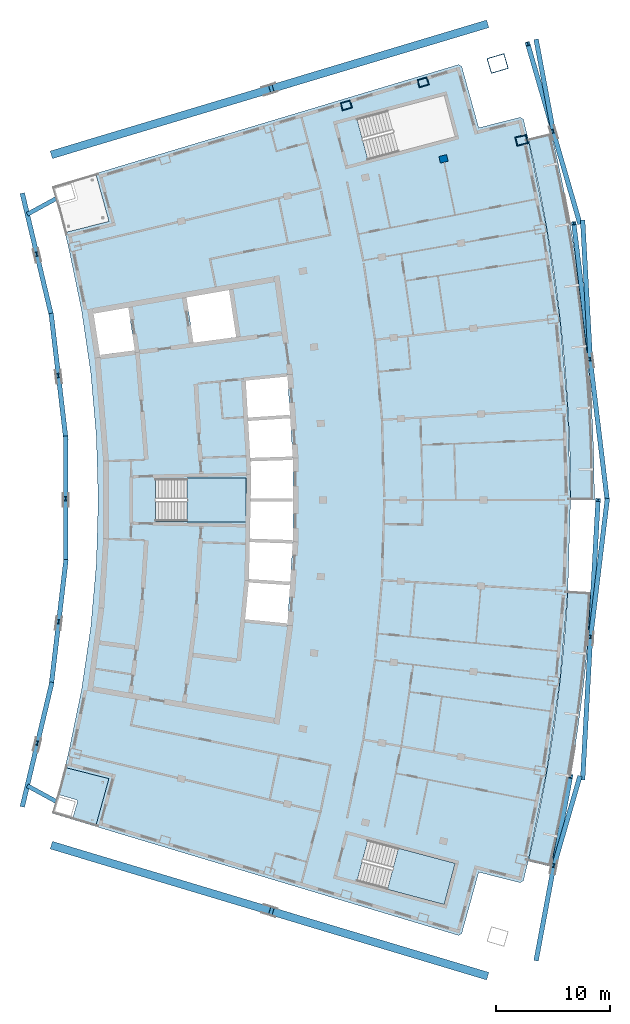
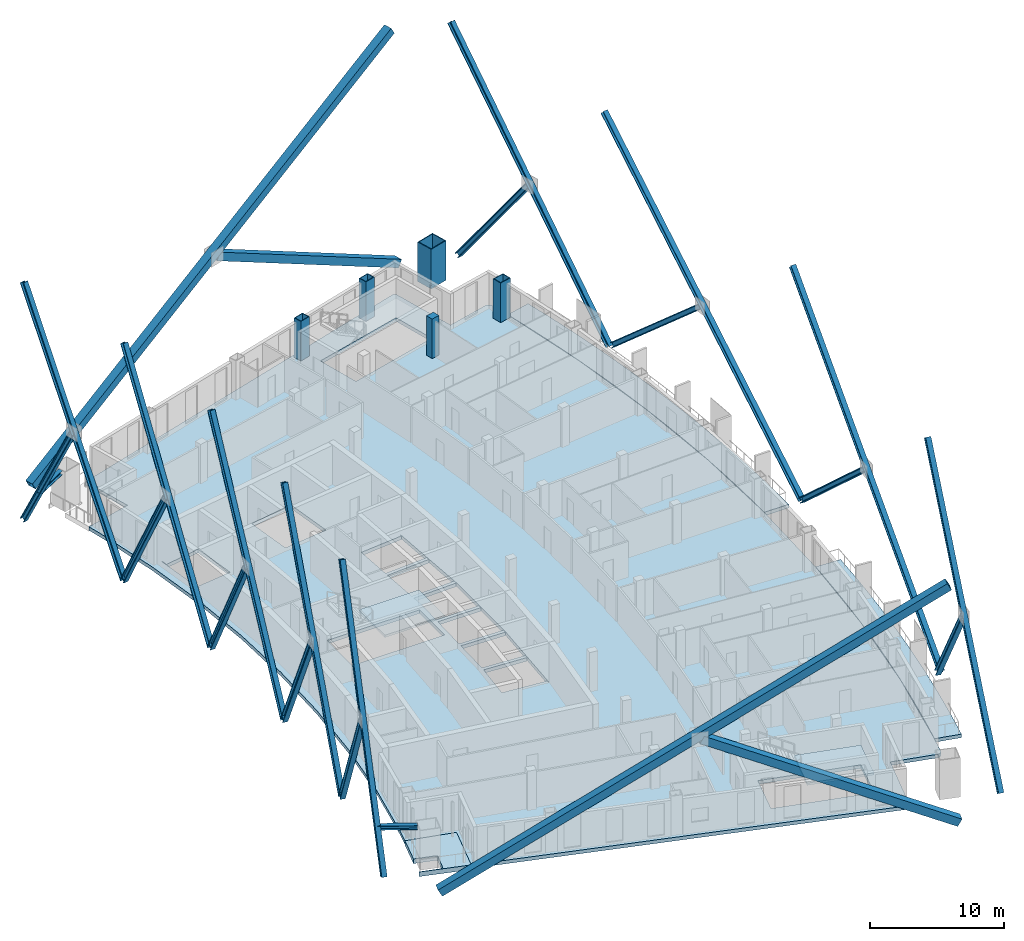
# One storey, part 6 of 16: 24 members, 6 slabs, 5 columns, 2 elements without a shape of their own.
"""IFC4 building model written with IfcOpenShell, lengths in metres."""

import ifcopenshell
import ifcopenshell.guid

model = None  # the IFC model being written
_history = None  # IfcOwnerHistory: only IFC2X3 demands one
_inside = {}  # id of a spatial element -> (the spatial element, [elements in it])
_under = {}  # id of a project, library or spatial element -> (it, [spatial elements below it])
_declared = {}  # id of a project -> (the project, [libraries it declares])
_typed = {}  # id of a type object -> (the type object, [elements of that type])
_made_of = {}  # id of a material, layer set ... -> (it, [elements and type objects made of it])


def new_model(schema):
    """Start an empty IFC model of exactly this schema.

    Asked for "IFC4X3", IfcOpenShell would pick the latest addendum, in which some entities
    have other attributes; the version numbers below select the first issue.
    IFC2X3 requires an IfcOwnerHistory on every rooted entity: one is made here for all.
    """
    global model, _history
    if schema == "IFC4X3":
        model = ifcopenshell.file(schema_version=(4, 3, 0, 0))
    else:
        model = ifcopenshell.file(schema=schema)
    _inside.clear()
    _under.clear()
    _declared.clear()
    _typed.clear()
    _made_of.clear()
    _history = None
    if model.schema == "IFC2X3":
        org = make("IfcOrganization", Name="unknown")
        user = make(
            "IfcPersonAndOrganization",
            ThePerson=make("IfcPerson", FamilyName="unknown"),
            TheOrganization=org,
        )
        app = make(
            "IfcApplication",
            ApplicationDeveloper=org,
            Version="unknown",
            ApplicationFullName="unknown",
            ApplicationIdentifier="unknown",
        )
        _history = make(
            "IfcOwnerHistory",
            OwningUser=user,
            OwningApplication=app,
            ChangeAction="ADDED",
            CreationDate=0,
        )
    return model


def make(cls, **values):
    """One entity of the class cls with the attributes given. An attribute that is None is left unset."""
    return model.create_entity(
        cls, **{name: value for name, value in values.items() if value is not None}
    )


def rooted(cls, **values):
    """An entity with a GlobalId (a new one), such as an element, a storey or a relation."""
    return make(cls, GlobalId=ifcopenshell.guid.new(), OwnerHistory=_history, **values)


def si_unit(unit_type, name, prefix=None):
    """IfcSIUnit, for example si_unit("LENGTHUNIT", "METRE", prefix="MILLI")."""
    return make("IfcSIUnit", UnitType=unit_type, Prefix=prefix, Name=name)


def assignment(units):
    """IfcUnitAssignment: the units of a project."""
    return None if units is None else make("IfcUnitAssignment", Units=units)


def point(xyz):
    """IfcCartesianPoint."""
    return None if xyz is None else make("IfcCartesianPoint", Coordinates=xyz)


def direction(xyz):
    """IfcDirection."""
    return None if xyz is None else make("IfcDirection", DirectionRatios=xyz)


def frame(location, z_axis=None, x_axis=None):
    """IfcAxis2Placement3D, a coordinate frame: its origin and axes. An axis left out is left unset."""
    return make(
        "IfcAxis2Placement3D",
        Location=point(location),
        Axis=direction(z_axis),
        RefDirection=direction(x_axis),
    )


def frame_2d(location, x_axis=None):
    """IfcAxis2Placement2D, a coordinate frame in the plane: its origin and x axis."""
    return make(
        "IfcAxis2Placement2D", Location=point(location), RefDirection=direction(x_axis)
    )


def origin():
    """The frame at (0, 0, 0) with its axes left unset."""
    return frame((0.0, 0.0, 0.0))


def origin_2d():
    """The frame at (0, 0) in the plane with its x axis left unset."""
    return frame_2d((0.0, 0.0))


def place(relative_to, where):
    """IfcLocalPlacement: puts the frame where relative to a parent placement (None: the world)."""
    return make(
        "IfcLocalPlacement", PlacementRelTo=relative_to, RelativePlacement=where
    )


def context(
    kind, dimensions, precision=None, world=None, true_north=None, identifier=None
):
    """IfcGeometricRepresentationContext, for example the 3D "Model" context."""
    return make(
        "IfcGeometricRepresentationContext",
        ContextIdentifier=identifier,
        ContextType=kind,
        CoordinateSpaceDimension=dimensions,
        Precision=precision,
        WorldCoordinateSystem=world,
        TrueNorth=true_north,
    )


def subcontext(parent, identifier, kind, view, scale=None):
    """IfcGeometricRepresentationSubContext, for example "Body" below "Model"."""
    return make(
        "IfcGeometricRepresentationSubContext",
        ContextIdentifier=identifier,
        ContextType=kind,
        ParentContext=parent,
        TargetScale=scale,
        TargetView=view,
    )


def project(units=None, contexts=None):
    """IfcProject with its units and contexts."""
    return rooted(
        "IfcProject",
        Name="project",
        RepresentationContexts=contexts,
        UnitsInContext=assignment(units),
    )


def spatial(cls, under=None, at=None, **own):
    """A site, building, storey or space (cls), placed at a placement, below another one or the project."""
    s = rooted(cls, ObjectPlacement=at, **own)
    if under is not None:
        _under.setdefault(under.id(), (under, []))[1].append(s)
    return s


def polyline(points):
    """IfcPolyline through the points."""
    return make("IfcPolyline", Points=[point(p) for p in points])


def profile(cls, at=None, kind="AREA", **sizes):
    """A parametric profile (cls). Its sizes go by their IFC names, for example OverallWidth=200.0."""
    return make(cls, ProfileType=kind, Position=at, **sizes)


def rectangle(**sizes):
    """IfcRectangleProfileDef."""
    return profile("IfcRectangleProfileDef", **sizes)


def hollow_rectangle(**sizes):
    """IfcRectangleHollowProfileDef."""
    return profile("IfcRectangleHollowProfileDef", **sizes)


def i_section(**sizes):
    """IfcIShapeProfileDef."""
    return profile("IfcIShapeProfileDef", **sizes)


def outline(outer, holes=None, kind="AREA"):
    """IfcArbitraryClosedProfileDef: a profile drawn as a closed curve; with holes, ...WithVoids."""
    if holes is None:
        return make("IfcArbitraryClosedProfileDef", ProfileType=kind, OuterCurve=outer)
    return make(
        "IfcArbitraryProfileDefWithVoids",
        ProfileType=kind,
        OuterCurve=outer,
        InnerCurves=holes,
    )


def extrude(swept, where, along, depth):
    """IfcExtrudedAreaSolid: the profile swept, set in the frame where, extruded along a direction by depth."""
    return make(
        "IfcExtrudedAreaSolid",
        SweptArea=swept,
        Position=where,
        ExtrudedDirection=direction(along),
        Depth=depth,
    )


def shape(context_of_items, identifier, shape_type, items):
    """IfcShapeRepresentation: the items that make up one representation, for example the "Body"."""
    return make(
        "IfcShapeRepresentation",
        ContextOfItems=context_of_items,
        RepresentationIdentifier=identifier,
        RepresentationType=shape_type,
        Items=items,
    )


def material(Name=None, Category=None):
    """IfcMaterial."""
    return make("IfcMaterial", Name=Name, Category=Category)


def layer(
    of_material, thickness, ventilated=None, Name=None, Category=None, Priority=None
):
    """IfcMaterialLayer: one layer of a wall or slab, of a material (None: an air gap)."""
    return make(
        "IfcMaterialLayer",
        Material=of_material,
        LayerThickness=thickness,
        IsVentilated=ventilated,
        Name=Name,
        Category=Category,
        Priority=Priority,
    )


def layer_set(layers, Name=None):
    """IfcMaterialLayerSet."""
    return make("IfcMaterialLayerSet", MaterialLayers=layers, LayerSetName=Name)


def material_profile(
    of_material, cross_section, Name=None, Category=None, Priority=None
):
    """IfcMaterialProfile: a cross section and its material."""
    return make(
        "IfcMaterialProfile",
        Name=Name,
        Material=of_material,
        Profile=cross_section,
        Priority=Priority,
        Category=Category,
    )


def profile_set(profiles, Name=None, composite=None):
    """IfcMaterialProfileSet."""
    return make(
        "IfcMaterialProfileSet",
        Name=Name,
        MaterialProfiles=profiles,
        CompositeProfile=composite,
    )


def made_of(thing, what):
    """Note that an element or type object is made of a material, layer set ...; save() writes the relation."""
    if what is not None:
        _made_of.setdefault(what.id(), (what, []))[1].append(thing)
    return thing


def type_object(cls, material=None, **own):
    """A type object (cls), such as IfcWallType, which elements share."""
    return made_of(rooted(cls, **own), material)


def element(
    cls,
    number,
    at=None,
    inside=None,
    cuts=None,
    type_object=None,
    material=None,
    context=None,
    identifier="Body",
    shape_type=None,
    held_by="IfcProductDefinitionShape",
    body=None,
    shapes=None,
    **own,
):
    """One element of the class cls, such as IfcWall. Its Tag is "e" and its number.

    at: its placement. inside: the storey or other place that contains it. cuts: it is an
    opening in that element (IfcRelVoidsElement). A single representation is given by context,
    identifier, shape_type and body (its items); several are given by shapes. held_by: the class
    of the entity that holds the representations. save() writes the other relations.
    """
    e = rooted(cls, Tag="e%d" % number, ObjectPlacement=at, **own)
    if body is not None:
        shapes = [shape(context, identifier, shape_type, body)]
    if shapes is not None:
        e.Representation = make(held_by, Representations=shapes)
    if inside is not None:
        _inside.setdefault(inside.id(), (inside, []))[1].append(e)
    if cuts is not None:
        rooted(
            "IfcRelVoidsElement", RelatingBuildingElement=cuts, RelatedOpeningElement=e
        )
    if type_object is not None:
        _typed.setdefault(type_object.id(), (type_object, []))[1].append(e)
    return made_of(e, material)


def aggregate(whole, parts):
    """IfcRelAggregates: a whole, such as a stair, and the parts it consists of."""
    return rooted("IfcRelAggregates", RelatingObject=whole, RelatedObjects=parts)


def save(model, path):
    """Write the relations noted so far, then the file.

    IfcRelAggregates (storeys below a building ...), IfcRelContainedInSpatialStructure (elements
    in a storey), IfcRelDefinesByType, IfcRelAssociatesMaterial and IfcRelDeclares: one each for
    every whole, place, type object, material and project.
    """
    for whole, parts in _under.values():
        aggregate(whole, parts)
    for where, things in _inside.values():
        rooted(
            "IfcRelContainedInSpatialStructure",
            RelatedElements=things,
            RelatingStructure=where,
        )
    for kind, things in _typed.values():
        rooted("IfcRelDefinesByType", RelatedObjects=things, RelatingType=kind)
    for what, things in _made_of.values():
        rooted("IfcRelAssociatesMaterial", RelatedObjects=things, RelatingMaterial=what)
    for by, libraries in _declared.values():
        rooted("IfcRelDeclares", RelatingContext=by, RelatedDefinitions=libraries)
    model.write(path)


model = new_model("IFC4")

# Units and contexts
model_context = context("Model", 3, precision=1e-05, world=origin(), true_north=direction((0.0, 1.0)))
body_context = subcontext(model_context, "Body", "Model", "MODEL_VIEW")
ifc_project = project(units=[si_unit("LENGTHUNIT", "METRE"), si_unit("AREAUNIT", "SQUARE_METRE"), si_unit("VOLUMEUNIT", "CUBIC_METRE"), si_unit("PLANEANGLEUNIT", "RADIAN"), si_unit("MASSUNIT", "GRAM", prefix="KILO")], contexts=[model_context])

# Site, building, storey
site_placement = place(None, origin())
site = spatial("IfcSite", under=ifc_project, at=site_placement, CompositionType="ELEMENT")
building_placement = place(site_placement, origin())
building = spatial("IfcBuilding", under=site, at=building_placement, Name="Alderwake Tower", CompositionType="ELEMENT")
storey_placement = place(building_placement, frame((0.0, 0.0, 245.60009765625)))
storey = spatial("IfcBuildingStorey", under=building, at=storey_placement, Name="L60", CompositionType="ELEMENT", Elevation=245.60009765625)

# Columns
ifc_material_1 = material(Name="Steel ASTM A572 Grade 50 concrete filled C70/85", Category="concrete")
ifc_material_profile_1 = material_profile(ifc_material_1, hollow_rectangle(XDim=0.699951171875, YDim=0.89990234375, WallThickness=0.050048828125, at=origin_2d()), Name="BOX 900X700X50")
ifc_profile_set_1 = profile_set([ifc_material_profile_1], Name="Steel ASTM A572 Grade 50 concrete filled C70/85")
column_type_1 = type_object("IfcColumnType", Name="End column Z5", PredefinedType="COLUMN", material=ifc_profile_set_1)
for number, where, z_axis, x_axis, name in (
    (1, (37.8486328125, 95.755126953125, 0.0), (0.0, 0.0, 1.0), (-0.28286882455, 0.959158604245, 0.0), "Column R12-C3"),
    (2, (44.616943359375, 97.787109375, 0.0), (0.0, 0.0, 1.0), (-0.283123269824, 0.95908352821, 0.0), "Column R12-C4"),
):
    element("IfcColumn", number, at=place(storey_placement, frame(where, z_axis=z_axis, x_axis=x_axis)), inside=storey, type_object=column_type_1, Name=name, PredefinedType="COLUMN", context=body_context, shape_type="SweptSolid", body=[
        extrude(hollow_rectangle(XDim=0.699951171875, YDim=0.89990234375, WallThickness=0.050048828125, at=origin_2d()), origin(), (0.0, 0.0, 1.0), 3.599853515625),
    ])
ifc_material_2 = material(Name="Concrete C70/85", Category="concrete")
ifc_material_profile_2 = material_profile(ifc_material_2, rectangle(XDim=0.60009765625, YDim=0.699951171875, at=origin_2d()), Name="RC 700X600")
ifc_profile_set_2 = profile_set([ifc_material_profile_2], Name="Concrete C70/85")
column_type_2 = type_object("IfcColumnType", Name="Interior column Z5", PredefinedType="COLUMN", material=ifc_profile_set_2)
column_1_placement = place(storey_placement, frame((46.412109375, 91.04345703125, 0.0), z_axis=(0.0, 0.0, 1.0), x_axis=(-0.231221547198, 0.972901123502, 0.0)))
element("IfcColumn", 3, at=column_1_placement, inside=storey, type_object=column_type_2, Name="Column R11-C4", PredefinedType="COLUMN", context=body_context, shape_type="SweptSolid", body=[
    extrude(rectangle(XDim=0.60009765625, YDim=0.699951171875, at=origin_2d()), origin(), (0.0, 0.0, 1.0), 3.599853515625),
])
ifc_material_3 = material(Name="Steel ASTM A572 Grade 50 concrete filled C70/85", Category="concrete")
ifc_material_profile_3 = material_profile(ifc_material_3, hollow_rectangle(XDim=1.39990234375, YDim=1.60009765625, WallThickness=0.070068359375, at=origin_2d()), Name="BOX 1600X1400X70")
ifc_profile_set_3 = profile_set([ifc_material_profile_3], Name="Steel ASTM A572 Grade 50 concrete filled C70/85")
column_type_3 = type_object("IfcColumnType", Name="Mega column Z5", PredefinedType="COLUMN", material=ifc_profile_set_3)
column_2_placement = place(storey_placement, frame((51.181884765625, 99.447021484375, 0.0), z_axis=(0.0, 0.0, 1.0), x_axis=(-0.281251293329, 0.959634154249, 0.0)))
element("IfcColumn", 4, at=column_2_placement, inside=storey, type_object=column_type_3, Name="Column R12-C5", PredefinedType="COLUMN", context=body_context, shape_type="SweptSolid", body=[
    extrude(hollow_rectangle(XDim=1.39990234375, YDim=1.60009765625, WallThickness=0.070068359375, at=origin_2d()), origin(), (0.0, 0.0, 1.0), 3.599853515625),
])
ifc_material_4 = material(Name="Steel ASTM A572 Grade 50 concrete filled C70/85", Category="concrete")
ifc_material_profile_4 = material_profile(ifc_material_4, hollow_rectangle(XDim=0.800048828125, YDim=1.0, WallThickness=0.054931640625, at=origin_2d()), Name="BOX 1000X800X55")
ifc_profile_set_4 = profile_set([ifc_material_profile_4], Name="Steel ASTM A572 Grade 50 concrete filled C70/85")
column_type_4 = type_object("IfcColumnType", Name="Perimeter column Z5", PredefinedType="COLUMN", material=ifc_profile_set_4)
column_3_placement = place(storey_placement, frame((53.287353515625, 92.677490234375, 0.0), z_axis=(0.0, 0.0, 1.0), x_axis=(-0.231221547198, 0.972901123502, 0.0)))
element("IfcColumn", 5, at=column_3_placement, inside=storey, type_object=column_type_4, Name="Column R11-C5", PredefinedType="COLUMN", context=body_context, shape_type="SweptSolid", body=[
    extrude(hollow_rectangle(XDim=0.800048828125, YDim=1.0, WallThickness=0.054931640625, at=origin_2d()), origin(), (0.0, 0.0, 1.0), 3.599853515625),
])

# Members
ifc_material_5 = material(Name="Steel ASTM A992 Grade 50", Category="steel")
ifc_material_profile_5 = material_profile(ifc_material_5, i_section(OverallWidth=0.3740234375, OverallDepth=0.372314453125, WebThickness=0.016357421875, FlangeThickness=0.026123046875, at=origin_2d()), Name="W14X132")
ifc_profile_set_5 = profile_set([ifc_material_profile_5], Name="Steel ASTM A992 Grade 50")
member_type_1 = type_object("IfcMemberType", Name="Brace node stub W14X132", PredefinedType="MEMBER", material=ifc_profile_set_5)
for number, where, z_axis, x_axis, name in (
    (6, (12.394775390625, 34.39599609375, 3.393798828125), (-0.87806620214, 0.478539177769, 0.0), (-0.478539177769, -0.87806620214, 0.0), "Brace node stub BS.RR02-C0.2492"),
    (7, (12.394775390625, 87.60400390625, 3.393798828125), (-0.87806620214, -0.478539177769, 0.0), (0.478539177769, -0.87806620214, 0.0), "Brace node stub BS.RR12-C0.2492"),
):
    element("IfcMember", number, at=place(storey_placement, frame(where, z_axis=z_axis, x_axis=x_axis)), inside=storey, type_object=member_type_1, Name=name, PredefinedType="MEMBER", context=body_context, shape_type="SweptSolid", body=[
        extrude(i_section(OverallWidth=0.3740234375, OverallDepth=0.372314453125, WebThickness=0.016357421875, FlangeThickness=0.026123046875, at=origin_2d()), origin(), (0.0, 0.0, 1.0), 3.006591796875),
    ])
ifc_material_6 = material(Name="Steel ASTM A572 Grade 50", Category="steel")
ifc_material_profile_6 = material_profile(ifc_material_6, hollow_rectangle(XDim=0.699951171875, YDim=0.699951171875, WallThickness=0.044921875, at=origin_2d()), Name="BOX 700X700X45")
ifc_profile_set_6 = profile_set([ifc_material_profile_6], Name="Steel ASTM A572 Grade 50")
member_type_2 = type_object("IfcMemberType", Name="Mega brace end Z5", PredefinedType="BRACE", material=ifc_profile_set_6)
member_1_placement = place(storey_placement, frame((12.031005859375, 30.550537109375, 0.0), z_axis=(0.837847995008, -0.251543875101, 0.484496043493), x_axis=(0.287546591137, 0.957766651082, 0.0)))
element("IfcMember", 8, at=member_1_placement, inside=storey, type_object=member_type_2, Name="Brace BRS5.1.0A", PredefinedType="BRACE", context=body_context, shape_type="SweptSolid", body=[
    extrude(hollow_rectangle(XDim=0.699951171875, YDim=0.699951171875, WallThickness=0.044921875, at=origin_2d()), origin(), (0.0, 0.0, 1.0), 44.58203125),
])
member_2_placement = place(storey_placement, frame((50.150146484375, 19.106201171875, 0.0), z_axis=(-0.841791088382, 0.252723272384, 0.476989214885), x_axis=(-0.287541975429, -0.957768036826, 0.0)))
element("IfcMember", 9, at=member_2_placement, inside=storey, type_object=member_type_2, Name="Brace BRS5.1.0B1", PredefinedType="BRACE", context=body_context, shape_type="SweptSolid", body=[
    extrude(hollow_rectangle(XDim=0.699951171875, YDim=0.699951171875, WallThickness=0.044921875, at=origin_2d()), origin(), (0.0, 0.0, 1.0), 22.45166015625),
])
member_3_placement = place(storey_placement, frame((12.031005859375, 91.449462890625, 0.0), z_axis=(0.837847995008, 0.251543875101, 0.484496043493), x_axis=(-0.287546591137, 0.957766651082, 0.0)))
element("IfcMember", 10, at=member_3_placement, inside=storey, type_object=member_type_2, Name="Brace BRN5.1.0A", PredefinedType="BRACE", context=body_context, shape_type="SweptSolid", body=[
    extrude(hollow_rectangle(XDim=0.699951171875, YDim=0.699951171875, WallThickness=0.044921875, at=origin_2d()), origin(), (0.0, 0.0, 1.0), 44.58203125),
])
member_4_placement = place(storey_placement, frame((50.150146484375, 102.893798828125, 0.0), z_axis=(-0.841791088382, -0.252723272384, 0.476989214885), x_axis=(0.287541975429, -0.957768036826, 0.0)))
element("IfcMember", 11, at=member_4_placement, inside=storey, type_object=member_type_2, Name="Brace BRN5.1.0B1", PredefinedType="BRACE", context=body_context, shape_type="SweptSolid", body=[
    extrude(hollow_rectangle(XDim=0.699951171875, YDim=0.699951171875, WallThickness=0.044921875, at=origin_2d()), origin(), (0.0, 0.0, 1.0), 22.45166015625),
])
ifc_material_7 = material(Name="Steel ASTM A992 Grade 50", Category="steel")
ifc_material_profile_7 = material_profile(ifc_material_7, i_section(OverallWidth=0.41552734375, OverallDepth=0.445556640625, WebThickness=0.0390625, FlangeThickness=0.062744140625, at=origin_2d()), Name="W14X342")
ifc_profile_set_7 = profile_set([ifc_material_profile_7], Name="Steel ASTM A992 Grade 50")
member_type_3 = type_object("IfcMemberType", Name="Mega brace face Z5", PredefinedType="BRACE", material=ifc_profile_set_7)
member_5_placement = place(storey_placement, frame((54.598876953125, 20.589599609375, 0.0), z_axis=(0.110700830672, 0.593518998633, 0.7971703233), x_axis=(-0.983046942789, 0.183354051694, 0.0)))
element("IfcMember", 12, at=member_5_placement, inside=storey, type_object=member_type_3, Name="Brace BRF5.1.2A", PredefinedType="BRACE", context=body_context, shape_type="SweptSolid", body=[
    extrude(i_section(OverallWidth=0.41552734375, OverallDepth=0.445556640625, WebThickness=0.0390625, FlangeThickness=0.062744140625, at=origin_2d()), origin(), (0.0, 0.0, 1.0), 27.095703125),
])
member_6_placement = place(storey_placement, frame((58.3876953125, 36.531982421875, 0.0), z_axis=(-0.168155065926, -0.579867121435, 0.79716873702), x_axis=(0.960431974026, -0.278514673344, 0.0)))
element("IfcMember", 13, at=member_6_placement, inside=storey, type_object=member_type_3, Name="Brace BRF5.1.2B1", PredefinedType="BRACE", context=body_context, shape_type="SweptSolid", body=[
    extrude(i_section(OverallWidth=0.41552734375, OverallDepth=0.445556640625, WebThickness=0.0390625, FlangeThickness=0.062744140625, at=origin_2d()), origin(), (0.0, 0.0, 1.0), 13.35302734375),
])
member_7_placement = place(storey_placement, frame((58.67578125, 36.48095703125, 0.0), z_axis=(0.041215108362, 0.749725291216, 0.660464459721), x_axis=(-0.998492367213, 0.05489073344, 0.0)))
element("IfcMember", 14, at=member_7_placement, inside=storey, type_object=member_type_3, Name="Brace BRF5.1.4A", PredefinedType="BRACE", context=body_context, shape_type="SweptSolid", body=[
    extrude(i_section(OverallWidth=0.41552734375, OverallDepth=0.445556640625, WebThickness=0.0390625, FlangeThickness=0.062744140625, at=origin_2d()), origin(), (0.0, 0.0, 1.0), 32.7041015625),
])
member_8_placement = place(storey_placement, frame((60.82666015625, 61.0, 0.0), z_axis=(-0.08994543892, -0.74545415046, 0.660460390621), x_axis=(0.992799282585, -0.119789751223, 0.0)))
element("IfcMember", 15, at=member_8_placement, inside=storey, type_object=member_type_3, Name="Brace BRF5.1.4B1", PredefinedType="BRACE", context=body_context, shape_type="SweptSolid", body=[
    extrude(i_section(OverallWidth=0.41552734375, OverallDepth=0.445556640625, WebThickness=0.0390625, FlangeThickness=0.062744140625, at=origin_2d()), origin(), (0.0, 0.0, 1.0), 16.171875),
])
member_9_placement = place(storey_placement, frame((60.82666015625, 61.0, 0.0), z_axis=(-0.089947294154, 0.745452477357, 0.66046202637), x_axis=(-0.99279895676, -0.119792451581, 0.0)))
element("IfcMember", 16, at=member_9_placement, inside=storey, type_object=member_type_3, Name="Brace BRF5.1.7A", PredefinedType="BRACE", context=body_context, shape_type="SweptSolid", body=[
    extrude(i_section(OverallWidth=0.41552734375, OverallDepth=0.445556640625, WebThickness=0.0390625, FlangeThickness=0.062744140625, at=origin_2d()), origin(), (0.0, 0.0, 1.0), 32.7041015625),
])
member_10_placement = place(storey_placement, frame((58.67578125, 85.51904296875, 0.0), z_axis=(0.04121374677, -0.74972787257, 0.660461614455), x_axis=(0.998492476957, 0.054888737105, 0.0)))
element("IfcMember", 17, at=member_10_placement, inside=storey, type_object=member_type_3, Name="Brace BRF5.1.7B1", PredefinedType="BRACE", context=body_context, shape_type="SweptSolid", body=[
    extrude(i_section(OverallWidth=0.41552734375, OverallDepth=0.445556640625, WebThickness=0.0390625, FlangeThickness=0.062744140625, at=origin_2d()), origin(), (0.0, 0.0, 1.0), 16.171875),
])
member_11_placement = place(storey_placement, frame((58.3876953125, 85.468017578125, 0.0), z_axis=(-0.168159198362, 0.579866761496, 0.797168127134), x_axis=(-0.960430096886, -0.278521146407, 0.0)))
element("IfcMember", 18, at=member_11_placement, inside=storey, type_object=member_type_3, Name="Brace BRF5.1.10A", PredefinedType="BRACE", context=body_context, shape_type="SweptSolid", body=[
    extrude(i_section(OverallWidth=0.41552734375, OverallDepth=0.445556640625, WebThickness=0.0390625, FlangeThickness=0.062744140625, at=origin_2d()), origin(), (0.0, 0.0, 1.0), 27.095703125),
])
member_12_placement = place(storey_placement, frame((54.598876953125, 101.410400390625, 0.0), z_axis=(0.110707381411, -0.593523206499, 0.797166280677), x_axis=(0.983045221401, 0.183363280623, 0.0)))
element("IfcMember", 19, at=member_12_placement, inside=storey, type_object=member_type_3, Name="Brace BRF5.1.10B1", PredefinedType="BRACE", context=body_context, shape_type="SweptSolid", body=[
    extrude(i_section(OverallWidth=0.41552734375, OverallDepth=0.445556640625, WebThickness=0.0390625, FlangeThickness=0.062744140625, at=origin_2d()), origin(), (0.0, 0.0, 1.0), 13.35302734375),
])
member_13_placement = place(storey_placement, frame((9.359619140625, 34.171630859375, 0.0), z_axis=(0.104006952224, 0.437630728218, 0.893119196753), x_axis=(-0.972901726667, 0.23121900927, 0.0)))
element("IfcMember", 20, at=member_13_placement, inside=storey, type_object=member_type_3, Name="Brace BRR5.1.2A", PredefinedType="BRACE", context=body_context, shape_type="SweptSolid", body=[
    extrude(i_section(OverallWidth=0.41552734375, OverallDepth=0.445556640625, WebThickness=0.0390625, FlangeThickness=0.062744140625, at=origin_2d()), origin(), (0.0, 0.0, 1.0), 24.184814453125),
])
member_14_placement = place(storey_placement, frame((11.875, 44.755615234375, 0.0), z_axis=(-0.104002993468, -0.437631038096, 0.893119505914), x_axis=(0.972903743222, -0.231210524034, 0.0)))
element("IfcMember", 21, at=member_14_placement, inside=storey, type_object=member_type_3, Name="Brace BRR5.1.2B1", PredefinedType="BRACE", context=body_context, shape_type="SweptSolid", body=[
    extrude(i_section(OverallWidth=0.41552734375, OverallDepth=0.445556640625, WebThickness=0.0390625, FlangeThickness=0.062744140625, at=origin_2d()), origin(), (0.0, 0.0, 1.0), 11.812255859375),
])
member_15_placement = place(storey_placement, frame((11.875, 44.755615234375, 0.0), z_axis=(0.052361737433, 0.446765647495, 0.893117408111), x_axis=(-0.993201825706, 0.116405040331, 0.0)))
element("IfcMember", 22, at=member_15_placement, inside=storey, type_object=member_type_3, Name="Brace BRR5.1.4A", PredefinedType="BRACE", context=body_context, shape_type="SweptSolid", body=[
    extrude(i_section(OverallWidth=0.41552734375, OverallDepth=0.445556640625, WebThickness=0.0390625, FlangeThickness=0.062744140625, at=origin_2d()), origin(), (0.0, 0.0, 1.0), 24.184814453125),
])
member_16_placement = place(storey_placement, frame((13.141357421875, 55.560546875, 0.0), z_axis=(-0.052373377607, -0.446765165883, 0.893116966512), x_axis=(0.993198819114, -0.116430690583, 0.0)))
element("IfcMember", 23, at=member_16_placement, inside=storey, type_object=member_type_3, Name="Brace BRR5.1.4B1", PredefinedType="BRACE", context=body_context, shape_type="SweptSolid", body=[
    extrude(i_section(OverallWidth=0.41552734375, OverallDepth=0.445556640625, WebThickness=0.0390625, FlangeThickness=0.062744140625, at=origin_2d()), origin(), (0.0, 0.0, 1.0), 11.812255859375),
])
member_17_placement = place(storey_placement, frame((13.141357421875, 55.560546875, 0.0), z_axis=(0.0, 0.449824221612, 0.893117108587), x_axis=(-1.0, 0.0, 0.0)))
element("IfcMember", 24, at=member_17_placement, inside=storey, type_object=member_type_3, Name="Brace BRR5.1.6A", PredefinedType="BRACE", context=body_context, shape_type="SweptSolid", body=[
    extrude(i_section(OverallWidth=0.41552734375, OverallDepth=0.445556640625, WebThickness=0.0390625, FlangeThickness=0.062744140625, at=origin_2d()), origin(), (0.0, 0.0, 1.0), 24.184814453125),
])
member_18_placement = place(storey_placement, frame((13.141357421875, 66.439453125, 0.0), z_axis=(0.0, -0.449824156765, 0.893117141248), x_axis=(1.0, 0.0, 0.0)))
element("IfcMember", 25, at=member_18_placement, inside=storey, type_object=member_type_3, Name="Brace BRR5.1.6B1", PredefinedType="BRACE", context=body_context, shape_type="SweptSolid", body=[
    extrude(i_section(OverallWidth=0.41552734375, OverallDepth=0.445556640625, WebThickness=0.0390625, FlangeThickness=0.062744140625, at=origin_2d()), origin(), (0.0, 0.0, 1.0), 11.812255859375),
])
member_19_placement = place(storey_placement, frame((13.141357421875, 66.439453125, 0.0), z_axis=(-0.052361737433, 0.446765647495, 0.893117408111), x_axis=(-0.993201825706, -0.116405040331, 0.0)))
element("IfcMember", 26, at=member_19_placement, inside=storey, type_object=member_type_3, Name="Brace BRR5.1.8A", PredefinedType="BRACE", context=body_context, shape_type="SweptSolid", body=[
    extrude(i_section(OverallWidth=0.41552734375, OverallDepth=0.445556640625, WebThickness=0.0390625, FlangeThickness=0.062744140625, at=origin_2d()), origin(), (0.0, 0.0, 1.0), 24.184814453125),
])
member_20_placement = place(storey_placement, frame((11.875, 77.244384765625, 0.0), z_axis=(0.052352282579, -0.446782192072, 0.893109686072), x_axis=(0.993204753755, 0.116380054645, 0.0)))
element("IfcMember", 27, at=member_20_placement, inside=storey, type_object=member_type_3, Name="Brace BRR5.1.8B1", PredefinedType="BRACE", context=body_context, shape_type="SweptSolid", body=[
    extrude(i_section(OverallWidth=0.41552734375, OverallDepth=0.445556640625, WebThickness=0.0390625, FlangeThickness=0.062744140625, at=origin_2d()), origin(), (0.0, 0.0, 1.0), 11.8125),
])
member_21_placement = place(storey_placement, frame((11.875, 77.244384765625, 0.0), z_axis=(-0.104006952224, 0.437630728218, 0.893119196753), x_axis=(-0.972901726667, -0.23121900927, 0.0)))
element("IfcMember", 28, at=member_21_placement, inside=storey, type_object=member_type_3, Name="Brace BRR5.1.10A", PredefinedType="BRACE", context=body_context, shape_type="SweptSolid", body=[
    extrude(i_section(OverallWidth=0.41552734375, OverallDepth=0.445556640625, WebThickness=0.0390625, FlangeThickness=0.062744140625, at=origin_2d()), origin(), (0.0, 0.0, 1.0), 24.184814453125),
])
member_22_placement = place(storey_placement, frame((9.359619140625, 87.828369140625, 0.0), z_axis=(0.104002052742, -0.437647747775, 0.893111427479), x_axis=(0.972906199362, 0.231200188675, 0.0)))
element("IfcMember", 29, at=member_22_placement, inside=storey, type_object=member_type_3, Name="Brace BRR5.1.10B1", PredefinedType="BRACE", context=body_context, shape_type="SweptSolid", body=[
    extrude(i_section(OverallWidth=0.41552734375, OverallDepth=0.445556640625, WebThickness=0.0390625, FlangeThickness=0.062744140625, at=origin_2d()), origin(), (0.0, 0.0, 1.0), 11.8125),
])

# Slabs
ifc_material_8 = material(Name="Concrete C50/60", Category="concrete")
ifc_layer_1 = layer(ifc_material_8, 0.320068359375)
ifc_layer_set_1 = layer_set([ifc_layer_1], Name="Balcony slab 320")
slab_type_1 = type_object("IfcSlabType", Name="Balcony slab 320", PredefinedType="FLOOR", material=ifc_layer_set_1)
slab_1_placement = place(storey_placement, frame((0.0, 0.0, -0.320068359375)))
element("IfcSlab", 30, at=slab_1_placement, inside=storey, type_object=slab_type_1, Name="Balcony BF03", PredefinedType="FLOOR", context=body_context, shape_type="SweptSolid", body=[
    extrude(outline(polyline([(56.798583984375, 32.67578125), (57.197021484375, 34.673583984375), (57.56640625, 36.677001953125), (57.906494140625, 38.685791015625), (58.217041015625, 40.69921875), (58.49853515625, 42.717041015625), (58.750244140625, 44.738525390625), (58.97265625, 46.763671875), (59.16552734375, 48.791748046875), (59.328857421875, 50.822509765625), (59.46240234375, 52.85546875), (57.365966796875, 52.977783203125), (57.234375, 50.9755859375), (57.073486328125, 48.975341796875), (56.8837890625, 46.977783203125), (56.66455078125, 44.983154296875), (56.41650390625, 42.99169921875), (56.139404296875, 41.00439453125), (55.833251953125, 39.021240234375), (55.498291015625, 37.042724609375), (55.134521484375, 35.0693359375), (54.7421875, 33.101318359375), (54.32080078125, 31.139404296875), (53.87109375, 29.183837890625), (55.914306640625, 28.6982421875), (56.370849609375, 30.683837890625), (56.798583984375, 32.67578125)])), origin(), (0.0, 0.0, 1.0), 0.320068359375),
])
slab_2_placement = place(storey_placement, frame((0.0, 0.0, -0.320068359375)))
element("IfcSlab", 31, at=slab_2_placement, inside=storey, type_object=slab_type_1, Name="Balcony BF07", PredefinedType="FLOOR", context=body_context, shape_type="SweptSolid", body=[
    extrude(outline(polyline([(59.68505859375, 63.037109375), (59.640625, 65.073974609375), (59.56640625, 67.10986328125), (59.46240234375, 69.14453125), (59.328857421875, 71.177490234375), (59.16552734375, 73.208251953125), (58.97265625, 75.236328125), (58.750244140625, 77.261474609375), (58.49853515625, 79.282958984375), (58.217041015625, 81.30078125), (57.906494140625, 83.314208984375), (57.56640625, 85.322998046875), (57.197021484375, 87.326416015625), (56.798583984375, 89.32421875), (56.370849609375, 91.316162109375), (55.914306640625, 93.3017578125), (53.87109375, 92.816162109375), (54.32080078125, 90.860595703125), (54.7421875, 88.898681640625), (55.134521484375, 86.9306640625), (55.498291015625, 84.957275390625), (55.833251953125, 82.978759765625), (56.139404296875, 80.99560546875), (56.41650390625, 79.00830078125), (56.66455078125, 77.016845703125), (56.8837890625, 75.022216796875), (57.073486328125, 73.024658203125), (57.234375, 71.0244140625), (57.365966796875, 69.022216796875), (57.46826171875, 67.01806640625), (57.54150390625, 65.0126953125), (57.58544921875, 63.006591796875), (57.60009765625, 61.0), (59.699951171875, 61.0), (59.68505859375, 63.037109375)])), origin(), (0.0, 0.0, 1.0), 0.320068359375),
])
ifc_material_9 = material(Name="Concrete C50/60", Category="concrete")
ifc_layer_2 = layer(ifc_material_9, 0.320068359375)
ifc_layer_set_2 = layer_set([ifc_layer_2], Name="Concrete C50/60 post-tensioned flat plate 320")
slab_type_2 = type_object("IfcSlabType", Name="Concrete C50/60 post-tensioned flat plate 320", PredefinedType="FLOOR", material=ifc_layer_set_2)
slab_3_placement = place(storey_placement, frame((0.0, 0.0, -0.320068359375)))
element("IfcSlab", 32, at=slab_3_placement, inside=storey, type_object=slab_type_2, Name="Floor slab L60", PredefinedType="FLOOR", context=body_context, shape_type="SweptSolid", body=[
    extrude(outline(polyline([(16.942626953125, 36.46142578125), (13.06494140625, 37.443115234375), (13.3984375, 38.802734375), (14.53369140625, 44.28564453125), (15.347412109375, 49.825439453125), (15.836669921875, 55.4033203125), (16.0, 61.0), (15.836669921875, 66.5966796875), (15.347412109375, 72.174560546875), (14.53369140625, 77.71435546875), (13.3984375, 83.197265625), (13.06494140625, 84.556884765625), (16.942626953125, 85.53857421875), (15.776611328125, 89.7548828125), (47.7373046875, 99.350341796875), (48.018798828125, 99.19482421875), (49.515380859375, 93.783447265625), (53.169921875, 94.70849609375), (53.44775390625, 94.54150390625), (53.87109375, 92.816162109375), (55.498291015625, 84.957275390625), (56.66455078125, 77.016845703125), (57.365966796875, 69.022216796875), (57.60009765625, 61.0), (57.365966796875, 52.977783203125), (56.66455078125, 44.983154296875), (55.498291015625, 37.042724609375), (53.87109375, 29.183837890625), (53.44775390625, 27.45849609375), (53.169921875, 27.29150390625), (49.515380859375, 28.216552734375), (48.018798828125, 22.80517578125), (47.7373046875, 22.649658203125), (15.776611328125, 32.2451171875), (16.942626953125, 36.46142578125)]), holes=[polyline([(29.26123046875, 53.771728515625), (29.2578125, 53.77197265625), (28.9365234375, 50.4912109375), (32.646484375, 50.128173828125), (32.6318359375, 49.978759765625), (32.661865234375, 49.975830078125), (32.90087890625, 53.64794921875), (33.139892578125, 57.320068359375), (33.139892578125, 61.0), (33.139892578125, 64.679931640625), (32.90087890625, 68.35205078125), (32.661865234375, 72.024169921875), (32.6318359375, 72.021240234375), (32.646484375, 71.871826171875), (28.886962890625, 71.50390625), (28.88720703125, 71.50048828125), (28.99462890625, 71.506591796875), (29.184814453125, 68.26025390625), (32.861083984375, 68.499755859375), (32.87109375, 68.35009765625), (32.880615234375, 68.200439453125), (29.2021484375, 67.960693359375), (29.392578125, 64.7080078125), (33.105224609375, 64.828857421875), (33.110107421875, 64.678955078125), (33.114990234375, 64.529052734375), (29.41015625, 64.408447265625), (29.4765625, 63.27685546875), (29.429443359375, 61.14990234375), (33.110107421875, 61.14990234375), (33.110107421875, 61.0), (33.110107421875, 60.85009765625), (29.4228515625, 60.85009765625), (29.350830078125, 57.593505859375), (33.114990234375, 57.470947265625), (33.110107421875, 57.321044921875), (33.105224609375, 57.171142578125), (29.34423828125, 57.29345703125), (29.2705078125, 53.969482421875), (29.274169921875, 53.969482421875), (29.2783203125, 54.0341796875), (32.880615234375, 53.799560546875), (32.87109375, 53.64990234375), (32.861083984375, 53.500244140625), (29.2587890625, 53.73486328125), (29.26123046875, 53.771728515625)]), polyline([(29.0, 62.875), (21.050048828125, 62.875), (21.050048828125, 59.125), (29.0, 59.125), (29.0, 62.875)]), polyline([(15.626220703125, 77.418212890625), (15.54345703125, 77.892822265625), (15.437744140625, 77.874267578125), (15.4384765625, 77.87060546875), (15.519287109375, 77.8828125), (16.180908203125, 73.579833984375), (16.210693359375, 73.583740234375), (16.184814453125, 73.781982421875), (19.224609375, 74.1796875), (18.656005859375, 77.940673828125), (18.852294921875, 77.97021484375), (18.8505859375, 77.980224609375), (15.626220703125, 77.418212890625)]), polyline([(28.152587890625, 75.347412109375), (27.521240234375, 79.491943359375), (23.77783203125, 78.83935546875), (24.384033203125, 74.858642578125), (24.3642578125, 74.855712890625), (24.36474609375, 74.851806640625), (28.152587890625, 75.347412109375)]), polyline([(46.47119140625, 25.373291015625), (47.436279296875, 28.996826171875), (39.754150390625, 31.043212890625), (38.7890625, 27.41943359375), (46.47119140625, 25.373291015625)]), polyline([(47.436279296875, 93.003173828125), (46.47119140625, 96.626708984375), (38.7890625, 94.58056640625), (39.754150390625, 90.956787109375), (47.436279296875, 93.003173828125)])]), origin(), (0.0, 0.0, 1.0), 0.320068359375),
])

# Stair, slab
ifc_material_10 = material(Name="Concrete C40/50", Category="concrete")
stair_type = type_object("IfcStairType", Name="Core exit stair", PredefinedType="HALF_TURN_STAIR", material=ifc_material_10)
stair_1_placement = place(storey_placement, origin())
stair_1 = element("IfcStair", 33, at=stair_1_placement, inside=storey, type_object=stair_type, Name="L60 Exit Stair B", PredefinedType="HALF_TURN_STAIR")
ifc_material_11 = material(Name="Concrete C40/50", Category="concrete")
ifc_layer_3 = layer(ifc_material_11, 0.199951171875)
ifc_layer_set_3 = layer_set([ifc_layer_3], Name="Core stair landing 200")
slab_type_3 = type_object("IfcSlabType", Name="Core stair landing 200", PredefinedType="LANDING", material=ifc_layer_set_3)
slab_4_placement = place(storey_placement, frame((0.0, 0.0, 1.599853515625)))
slab_4 = element("IfcSlab", 34, at=slab_4_placement, type_object=slab_type_3, Name="ST-B landing 1", PredefinedType="LANDING", context=body_context, shape_type="SweptSolid", body=[
    extrude(outline(polyline([(23.830078125, 59.074951171875), (29.0, 59.074951171875), (29.0, 62.925048828125), (23.830078125, 62.925048828125), (23.830078125, 59.074951171875)])), origin(), (0.0, 0.0, 1.0), 0.199951171875),
])
aggregate(stair_1, [slab_4])

stair_2_placement = place(storey_placement, origin())
stair_2 = element("IfcStair", 35, at=stair_2_placement, inside=storey, type_object=stair_type, Name="L60 Exit Stair C", PredefinedType="HALF_TURN_STAIR")
slab_5_placement = place(storey_placement, frame((0.0, 0.0, 1.599853515625)))
slab_5 = element("IfcSlab", 36, at=slab_5_placement, type_object=slab_type_3, Name="ST-C landing 1", PredefinedType="LANDING", context=body_context, shape_type="SweptSolid", body=[
    extrude(outline(polyline([(41.475341796875, 26.703857421875), (46.47119140625, 25.373291015625), (47.436279296875, 28.996826171875), (42.4404296875, 30.32763671875), (41.475341796875, 26.703857421875)])), origin(), (0.0, 0.0, 1.0), 0.199951171875),
])
aggregate(stair_2, [slab_5])

# Slab
ifc_material_12 = material(Name="Concrete C50/60", Category="concrete")
ifc_layer_4 = layer(ifc_material_12, 0.419921875)
ifc_layer_set_4 = layer_set([ifc_layer_4], Name="Terrace slab 420")
slab_type_4 = type_object("IfcSlabType", Name="Terrace slab 420", PredefinedType="FLOOR", material=ifc_layer_set_4)
slab_6_placement = place(storey_placement, frame((0.0, 0.0, -0.420166015625)))
element("IfcSlab", 37, at=slab_6_placement, inside=storey, type_object=slab_type_4, Name="Corner terrace RS", PredefinedType="FLOOR", context=body_context, shape_type="SweptSolid", body=[
    extrude(outline(polyline([(15.776611328125, 32.2451171875), (11.945556640625, 33.395263671875), (11.9697265625, 33.478271484375), (11.97607421875, 33.46826171875), (11.985107421875, 33.456298828125), (11.9951171875, 33.44580078125), (12.006103515625, 33.435791015625), (12.017822265625, 33.42724609375), (12.03076171875, 33.419921875), (12.0439453125, 33.413818359375), (12.05810546875, 33.408935546875), (13.594482421875, 32.963134765625), (13.60888671875, 32.959716796875), (13.62353515625, 32.957763671875), (13.63818359375, 32.957275390625), (13.65283203125, 32.9580078125), (13.66748046875, 32.96044921875), (13.681640625, 32.964111328125), (13.695556640625, 32.969482421875), (13.708740234375, 32.975830078125), (13.72119140625, 32.9833984375), (13.73291015625, 32.992431640625), (13.74365234375, 33.00244140625), (13.75341796875, 33.013427734375), (13.76220703125, 33.025390625), (13.76953125, 33.0380859375), (13.775634765625, 33.051513671875), (13.780517578125, 33.0654296875), (14.17041015625, 34.409912109375), (14.173828125, 34.42431640625), (14.17578125, 34.43896484375), (14.176513671875, 34.45361328125), (14.175537109375, 34.46826171875), (14.173095703125, 34.48291015625), (14.16943359375, 34.4970703125), (14.164306640625, 34.510986328125), (14.157958984375, 34.524169921875), (14.150146484375, 34.53662109375), (14.14111328125, 34.54833984375), (14.131103515625, 34.55908203125), (14.1201171875, 34.56884765625), (14.1083984375, 34.577392578125), (14.095458984375, 34.5849609375), (14.082275390625, 34.591064453125), (14.068115234375, 34.595947265625), (12.531494140625, 35.04150390625), (12.517333984375, 35.044921875), (12.502685546875, 35.047119140625), (12.488037109375, 35.047607421875), (12.473388671875, 35.046630859375), (12.458740234375, 35.044189453125), (12.444580078125, 35.04052734375), (12.4306640625, 35.035400390625), (12.418701171875, 35.029541015625), (12.71142578125, 36.08837890625), (13.06494140625, 37.443115234375), (16.942626953125, 36.46142578125), (15.776611328125, 32.2451171875)])), origin(), (0.0, 0.0, 1.0), 0.420166015625),
])

save(model, "model.ifc")
